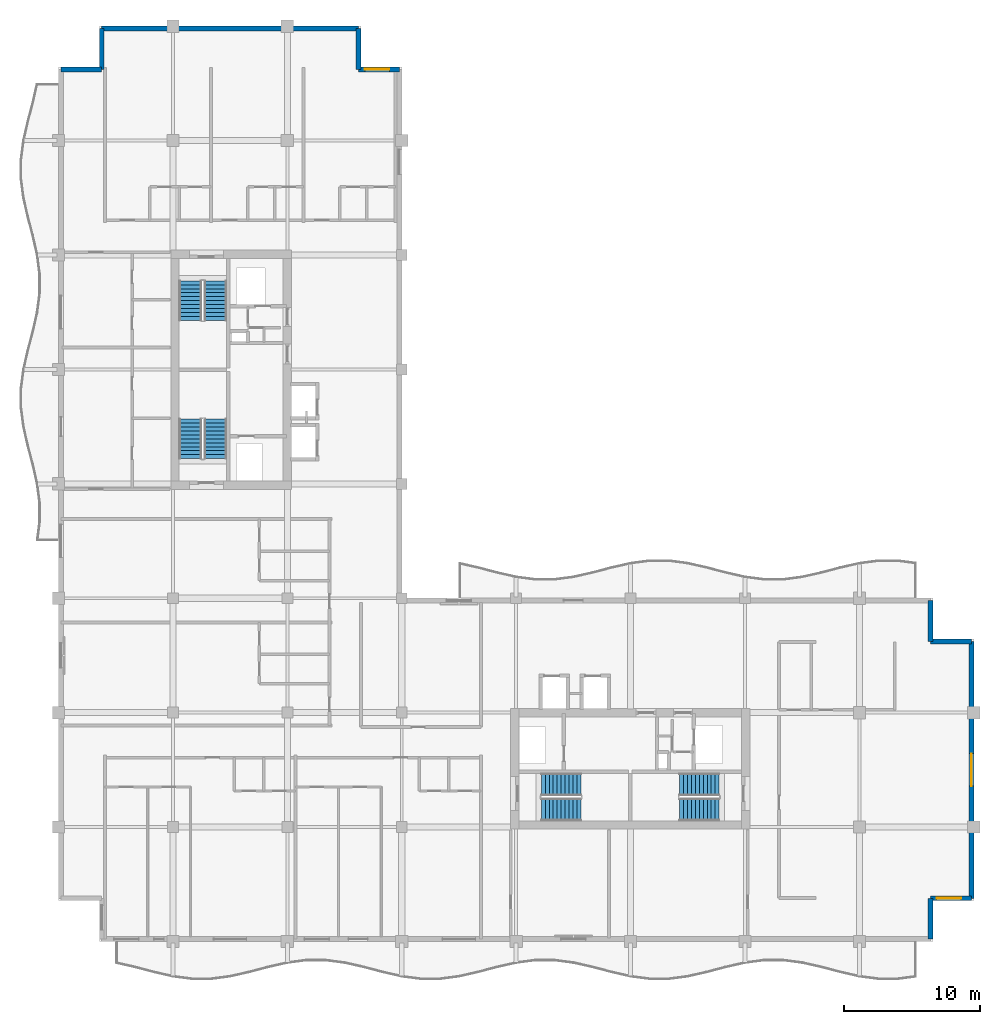
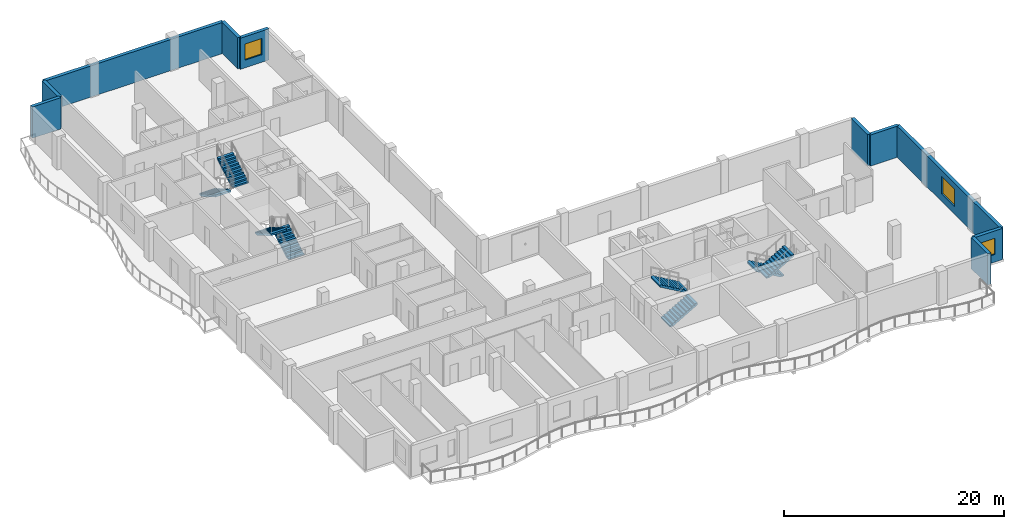
# One storey, part 8 of 12: 10 walls, 8 stair flights, 3 windows, 3 openings, 4 elements without a shape of their own.
"""IFC4 building model written with IfcOpenShell, lengths in metres."""

from ifc_helpers import new_model, si_unit, direction, frame, frame_2d, origin, place, context, subcontext, project, spatial, polyline, rectangle, outline, extrude, material, layer, layer_set, type_object, element, fill, aggregate, save


model = new_model("IFC4")

# Units and contexts
model_context = context("Model", 3, precision=1e-05, world=origin(), true_north=direction((0.0, 1.0)))
body_context = subcontext(model_context, "Body", "Model", "MODEL_VIEW")
ifc_project = project(units=[si_unit("LENGTHUNIT", "METRE"), si_unit("AREAUNIT", "SQUARE_METRE"), si_unit("VOLUMEUNIT", "CUBIC_METRE"), si_unit("PLANEANGLEUNIT", "RADIAN"), si_unit("MASSUNIT", "GRAM", prefix="KILO")], contexts=[model_context])

# Site, building, storey
site_placement = place(None, origin())
site = spatial("IfcSite", under=ifc_project, at=site_placement, CompositionType="ELEMENT")
building_placement = place(site_placement, origin())
building = spatial("IfcBuilding", under=site, at=building_placement, Name="Koriwani Terraces Tower", CompositionType="ELEMENT")
storey_placement = place(building_placement, frame((0.0, 0.0, 263.800048828125)))
storey = spatial("IfcBuildingStorey", under=building, at=storey_placement, Name="L65", CompositionType="ELEMENT", Elevation=263.800048828125)

# Walls
ifc_material_1 = material(Name="Concrete C50/60", Category="concrete")
ifc_layer = layer(ifc_material_1, 0.35009765625, Name="Concrete C50/60")
ifc_layer_set = layer_set([ifc_layer], Name="Concrete C50/60")
wall_type = type_object("IfcWallType", Name="WALL_EXT_BRUTALIST_350", PredefinedType="STANDARD", material=ifc_layer_set)
for number, where, z_axis, x_axis, name in (
    (1, (8.574951171875, 72.425048828125, 0.0), (0.0, 0.0, 1.0), (1.0, 0.0, 0.0), "L65 Fair-Faced Brutalist Exterior Wall (N3)"),
    (2, (11.574951171875, 72.425048828125, 0.0), (0.0, 0.0, 1.0), (0.0, 1.0, 0.0), "L65 Fair-Faced Brutalist Exterior Wall (N4)"),
):
    element("IfcWall", number, at=place(storey_placement, frame(where, z_axis=z_axis, x_axis=x_axis)), inside=storey, type_object=wall_type, Name=name, PredefinedType="STANDARD", context=body_context, shape_type="SweptSolid", body=[
        extrude(rectangle(XDim=3.0, YDim=0.35009765625, at=frame_2d((1.5, 0.0))), origin(), (0.0, 0.0, 1.0), 3.469970703125),
    ])
wall_1_placement = place(storey_placement, frame((11.574951171875, 75.425048828125, 0.0), z_axis=(0.0, 0.0, 1.0), x_axis=(1.0, 0.0, 0.0)))
element("IfcWall", 3, at=wall_1_placement, inside=storey, type_object=wall_type, Name="L65 Fair-Faced Brutalist Exterior Wall (N_TIP)", PredefinedType="STANDARD", context=body_context, shape_type="SweptSolid", body=[
    extrude(rectangle(XDim=18.85009765625, YDim=0.35009765625, at=frame_2d((9.425048828125, 0.0))), origin(), (0.0, 0.0, 1.0), 3.469970703125),
])
wall_2_placement = place(storey_placement, frame((30.425048828125, 75.425048828125, 0.0), z_axis=(0.0, 0.0, 1.0), x_axis=(0.0, -1.0, 0.0)))
element("IfcWall", 4, at=wall_2_placement, inside=storey, type_object=wall_type, Name="L65 Fair-Faced Brutalist Exterior Wall (N6)", PredefinedType="STANDARD", context=body_context, shape_type="SweptSolid", body=[
    extrude(rectangle(XDim=3.0, YDim=0.35009765625, at=frame_2d((1.5, 0.0))), origin(), (0.0, 0.0, 1.0), 3.469970703125),
])

# Wall, opening, window
wall_3_placement = place(storey_placement, frame((30.425048828125, 72.425048828125, 0.0), z_axis=(0.0, 0.0, 1.0), x_axis=(1.0, 0.0, 0.0)))
wall_3 = element("IfcWall", 5, at=wall_3_placement, inside=storey, type_object=wall_type, Name="L65 Fair-Faced Brutalist Exterior Wall (N7)", PredefinedType="STANDARD", context=body_context, shape_type="SweptSolid", body=[
    extrude(rectangle(XDim=3.0, YDim=0.35009765625, at=frame_2d((1.5, 0.0))), origin(), (0.0, 0.0, 1.0), 3.469970703125),
])
opening_1_placement = place(wall_3_placement, frame((0.472412109375, 0.0, 0.85009765625)))
opening_1 = element("IfcOpeningElement", 6, at=opening_1_placement, cuts=wall_3, Name="Opening W-04", PredefinedType="OPENING", context=body_context, shape_type="SweptSolid", body=[
    extrude(rectangle(XDim=1.800048828125, YDim=1.800048828125, at=frame_2d((0.89990234375, 0.89990234375))), frame((0.0, 0.18505859375, 0.0), z_axis=(0.0, -1.0, 0.0), x_axis=(1.0, 0.0, 0.0)), (0.0, 0.0, 1.0), 0.3701171875),
])
ifc_material_2 = material(Name="Tempered Laminated Low-E Glass", Category="glass")
window_type_1 = type_object("IfcWindowType", Name="WIN_RES_BED_1800X1800", PartitioningType="DOUBLE_PANEL_VERTICAL", PredefinedType="WINDOW", material=ifc_material_2)
window_1_placement = place(opening_1_placement, origin())
window_1 = element("IfcWindow", 7, at=window_1_placement, inside=storey, type_object=window_type_1, Name="L65 Exterior Window (N7-R55)", OverallHeight=1.800048828125, OverallWidth=1.800048828125, PartitioningType="SINGLE_PANEL", PredefinedType="WINDOW", context=body_context, shape_type="SweptSolid", body=[
    extrude(rectangle(XDim=1.800048828125, YDim=1.800048828125, at=frame_2d((0.89990234375, 0.89990234375))), frame((0.0, 0.030029296875, 0.0), z_axis=(0.0, -1.0, 0.0), x_axis=(1.0, 0.0, 0.0)), (0.0, 0.0, 1.0), 0.06005859375),
])
fill(opening_1, window_1)

# Walls
for number, where, z_axis, x_axis, name in (
    (8, (72.425048828125, 33.425048828125, 0.0), (0.0, 0.0, 1.0), (0.0, -1.0, 0.0), "L65 Fair-Faced Brutalist Exterior Wall (N10)"),
    (9, (72.425048828125, 30.425048828125, 0.0), (0.0, 0.0, 1.0), (1.0, 0.0, 0.0), "L65 Fair-Faced Brutalist Exterior Wall (N11)"),
):
    element("IfcWall", number, at=place(storey_placement, frame(where, z_axis=z_axis, x_axis=x_axis)), inside=storey, type_object=wall_type, Name=name, PredefinedType="STANDARD", context=body_context, shape_type="SweptSolid", body=[
        extrude(rectangle(XDim=3.0, YDim=0.35009765625, at=frame_2d((1.5, 0.0))), origin(), (0.0, 0.0, 1.0), 3.469970703125),
    ])

# Wall, opening, window
wall_4_placement = place(storey_placement, frame((75.425048828125, 30.425048828125, 0.0), z_axis=(0.0, 0.0, 1.0), x_axis=(0.0, -1.0, 0.0)))
wall_4 = element("IfcWall", 10, at=wall_4_placement, inside=storey, type_object=wall_type, Name="L65 Fair-Faced Brutalist Exterior Wall (E_TIP)", PredefinedType="STANDARD", context=body_context, shape_type="SweptSolid", body=[
    extrude(rectangle(XDim=18.85009765625, YDim=0.35009765625, at=frame_2d((9.425048828125, 0.0))), origin(), (0.0, 0.0, 1.0), 3.469970703125),
])
opening_2_placement = place(wall_4_placement, frame((8.22509765625, 0.0, 0.85009765625)))
opening_2 = element("IfcOpeningElement", 11, at=opening_2_placement, cuts=wall_4, Name="Opening W-03", PredefinedType="OPENING", context=body_context, shape_type="SweptSolid", body=[
    extrude(rectangle(XDim=2.39990234375, YDim=1.949951171875, at=frame_2d((1.199951171875, 0.97509765625))), frame((0.0, 0.18505859375, 0.0), z_axis=(0.0, -1.0, 0.0), x_axis=(1.0, 0.0, 0.0)), (0.0, 0.0, 1.0), 0.3701171875),
])
window_type_2 = type_object("IfcWindowType", Name="WIN_RES_LIVING_2400X1950", PartitioningType="DOUBLE_PANEL_VERTICAL", PredefinedType="WINDOW", material=ifc_material_2)
window_2_placement = place(opening_2_placement, origin())
window_2 = element("IfcWindow", 12, at=window_2_placement, inside=storey, type_object=window_type_2, Name="L65 Exterior Window (E_TIP-3)", OverallHeight=1.949951171875, OverallWidth=2.39990234375, PartitioningType="SINGLE_PANEL", PredefinedType="WINDOW", context=body_context, shape_type="SweptSolid", body=[
    extrude(rectangle(XDim=2.39990234375, YDim=1.949951171875, at=frame_2d((1.199951171875, 0.97509765625))), frame((0.0, 0.030029296875, 0.0), z_axis=(0.0, -1.0, 0.0), x_axis=(1.0, 0.0, 0.0)), (0.0, 0.0, 1.0), 0.06005859375),
])
fill(opening_2, window_2)

wall_5_placement = place(storey_placement, frame((75.425048828125, 11.574951171875, 0.0), z_axis=(0.0, 0.0, 1.0), x_axis=(-1.0, 0.0, 0.0)))
wall_5 = element("IfcWall", 13, at=wall_5_placement, inside=storey, type_object=wall_type, Name="L65 Fair-Faced Brutalist Exterior Wall (N13)", PredefinedType="STANDARD", context=body_context, shape_type="SweptSolid", body=[
    extrude(rectangle(XDim=3.0, YDim=0.35009765625, at=frame_2d((1.5, 0.0))), origin(), (0.0, 0.0, 1.0), 3.469970703125),
])
opening_3_placement = place(wall_5_placement, frame((0.762451171875, 0.0, 0.85009765625)))
opening_3 = element("IfcOpeningElement", 14, at=opening_3_placement, cuts=wall_5, Name="Opening W-04", PredefinedType="OPENING", context=body_context, shape_type="SweptSolid", body=[
    extrude(rectangle(XDim=1.800048828125, YDim=1.800048828125, at=frame_2d((0.89990234375, 0.89990234375))), frame((0.0, 0.18505859375, 0.0), z_axis=(0.0, -1.0, 0.0), x_axis=(1.0, 0.0, 0.0)), (0.0, 0.0, 1.0), 0.3701171875),
])
window_3_placement = place(opening_3_placement, origin())
window_3 = element("IfcWindow", 15, at=window_3_placement, inside=storey, type_object=window_type_1, Name="L65 Exterior Window (N13-R58)", OverallHeight=1.800048828125, OverallWidth=1.800048828125, PartitioningType="SINGLE_PANEL", PredefinedType="WINDOW", context=body_context, shape_type="SweptSolid", body=[
    extrude(rectangle(XDim=1.800048828125, YDim=1.800048828125, at=frame_2d((0.89990234375, 0.89990234375))), frame((0.0, 0.030029296875, 0.0), z_axis=(0.0, -1.0, 0.0), x_axis=(1.0, 0.0, 0.0)), (0.0, 0.0, 1.0), 0.06005859375),
])
fill(opening_3, window_3)

# Wall
wall_6_placement = place(storey_placement, frame((72.425048828125, 11.574951171875, 0.0), z_axis=(0.0, 0.0, 1.0), x_axis=(0.0, -1.0, 0.0)))
element("IfcWall", 16, at=wall_6_placement, inside=storey, type_object=wall_type, Name="L65 Fair-Faced Brutalist Exterior Wall (N14)", PredefinedType="STANDARD", context=body_context, shape_type="SweptSolid", body=[
    extrude(rectangle(XDim=3.0, YDim=0.35009765625, at=frame_2d((1.5, 0.0))), origin(), (0.0, 0.0, 1.0), 3.469970703125),
])

# Stair, stair flights
ifc_material_3 = material(Name="Concrete C40/50", Category="concrete")
stair_type = type_object("IfcStairType", Name="STAIR_CORE_DOGLEG_1650", PredefinedType="TWO_STRAIGHT_RUN_STAIR", material=ifc_material_3)
stair_1_placement = place(storey_placement, origin())
stair_1 = element("IfcStair", 17, at=stair_1_placement, inside=storey, type_object=stair_type, Name="L65 West Core Exit Stair 1", PredefinedType="HALF_TURN_STAIR")
stair_flight_type = type_object("IfcStairFlightType", Name="STAIR_FLIGHT_RC_1650", PredefinedType="STRAIGHT", material=ifc_material_3)
stair_flight_1_placement = place(storey_placement, frame((19.925048828125, 43.85009765625, 0.0), z_axis=(0.0, 0.0, 1.0), x_axis=(0.0, 1.0, 0.0)))
stair_flight_1 = element("IfcStairFlight", 18, at=stair_flight_1_placement, type_object=stair_flight_type, Name="ST-W1 flight 1", NumberOfRisers=11, NumberOfTreads=10, PredefinedType="STRAIGHT", RiserHeight=0.168181818, TreadLength=0.29, context=body_context, shape_type="SweptSolid", body=[
    extrude(outline(polyline([(0.0, 0.0), (0.0, 0.168212890625), (0.2900390625, 0.168212890625), (0.2900390625, 0.33642578125), (0.580078125, 0.33642578125), (0.580078125, 0.504638671875), (0.8701171875, 0.504638671875), (0.8701171875, 0.672607421875), (1.159912109375, 0.672607421875), (1.159912109375, 0.8408203125), (1.449951171875, 0.8408203125), (1.449951171875, 1.009033203125), (1.739990234375, 1.009033203125), (1.739990234375, 1.17724609375), (2.030029296875, 1.17724609375), (2.030029296875, 1.345458984375), (2.320068359375, 1.345458984375), (2.320068359375, 1.513671875), (2.610107421875, 1.513671875), (2.610107421875, 1.681884765625), (2.89990234375, 1.681884765625), (2.89990234375, 1.85009765625), (2.89990234375, 1.473876953125), (0.358642578125, 0.0), (0.0, 0.0)])), frame((0.0, 0.824951171875, 0.0), z_axis=(0.0, -1.0, 0.0), x_axis=(1.0, 0.0, 0.0)), (0.0, 0.0, 1.0), 1.64990234375),
])
stair_flight_2_placement = place(storey_placement, frame((18.074951171875, 46.75, 1.849853515625), z_axis=(0.0, 0.0, 1.0), x_axis=(0.0, -1.0, 0.0)))
stair_flight_2 = element("IfcStairFlight", 19, at=stair_flight_2_placement, type_object=stair_flight_type, Name="ST-W1 flight 2", NumberOfRisers=11, NumberOfTreads=10, PredefinedType="STRAIGHT", RiserHeight=0.168181818, TreadLength=0.29, context=body_context, shape_type="SweptSolid", body=[
    extrude(outline(polyline([(0.0, 0.0), (0.0, 0.168212890625), (0.2900390625, 0.168212890625), (0.2900390625, 0.33642578125), (0.580078125, 0.33642578125), (0.580078125, 0.504638671875), (0.8701171875, 0.504638671875), (0.8701171875, 0.672607421875), (1.159912109375, 0.672607421875), (1.159912109375, 0.8408203125), (1.449951171875, 0.8408203125), (1.449951171875, 1.009033203125), (1.739990234375, 1.009033203125), (1.739990234375, 1.17724609375), (2.030029296875, 1.17724609375), (2.030029296875, 1.345458984375), (2.320068359375, 1.345458984375), (2.320068359375, 1.513671875), (2.610107421875, 1.513671875), (2.610107421875, 1.681884765625), (2.89990234375, 1.681884765625), (2.89990234375, 1.85009765625), (2.89990234375, 1.473876953125), (0.358642578125, 0.0), (0.0, 0.0)])), frame((0.0, 0.824951171875, 0.0), z_axis=(0.0, -1.0, 0.0), x_axis=(1.0, 0.0, 0.0)), (0.0, 0.0, 1.0), 1.64990234375),
])
aggregate(stair_1, [stair_flight_1, stair_flight_2])

stair_2_placement = place(storey_placement, origin())
stair_2 = element("IfcStair", 20, at=stair_2_placement, inside=storey, type_object=stair_type, Name="L65 West Core Exit Stair 2", PredefinedType="HALF_TURN_STAIR")
stair_flight_3_placement = place(storey_placement, frame((18.074951171875, 56.89990234375, 0.0), z_axis=(0.0, 0.0, 1.0), x_axis=(0.0, -1.0, 0.0)))
stair_flight_3 = element("IfcStairFlight", 21, at=stair_flight_3_placement, type_object=stair_flight_type, Name="ST-W2 flight 1", NumberOfRisers=11, NumberOfTreads=10, PredefinedType="STRAIGHT", RiserHeight=0.168181818, TreadLength=0.29, context=body_context, shape_type="SweptSolid", body=[
    extrude(outline(polyline([(0.0, 0.0), (0.0, 0.168212890625), (0.2900390625, 0.168212890625), (0.2900390625, 0.33642578125), (0.580078125, 0.33642578125), (0.580078125, 0.504638671875), (0.8701171875, 0.504638671875), (0.8701171875, 0.672607421875), (1.159912109375, 0.672607421875), (1.159912109375, 0.8408203125), (1.449951171875, 0.8408203125), (1.449951171875, 1.009033203125), (1.739990234375, 1.009033203125), (1.739990234375, 1.17724609375), (2.030029296875, 1.17724609375), (2.030029296875, 1.345458984375), (2.320068359375, 1.345458984375), (2.320068359375, 1.513671875), (2.610107421875, 1.513671875), (2.610107421875, 1.681884765625), (2.89990234375, 1.681884765625), (2.89990234375, 1.85009765625), (2.89990234375, 1.473876953125), (0.358642578125, 0.0), (0.0, 0.0)])), frame((0.0, 0.824951171875, 0.0), z_axis=(0.0, -1.0, 0.0), x_axis=(1.0, 0.0, 0.0)), (0.0, 0.0, 1.0), 1.64990234375),
])
stair_flight_4_placement = place(storey_placement, frame((19.925048828125, 54.0, 1.849853515625), z_axis=(0.0, 0.0, 1.0), x_axis=(0.0, 1.0, 0.0)))
stair_flight_4 = element("IfcStairFlight", 22, at=stair_flight_4_placement, type_object=stair_flight_type, Name="ST-W2 flight 2", NumberOfRisers=11, NumberOfTreads=10, PredefinedType="STRAIGHT", RiserHeight=0.168181818, TreadLength=0.29, context=body_context, shape_type="SweptSolid", body=[
    extrude(outline(polyline([(0.0, 0.0), (0.0, 0.168212890625), (0.2900390625, 0.168212890625), (0.2900390625, 0.33642578125), (0.580078125, 0.33642578125), (0.580078125, 0.504638671875), (0.8701171875, 0.504638671875), (0.8701171875, 0.672607421875), (1.159912109375, 0.672607421875), (1.159912109375, 0.8408203125), (1.449951171875, 0.8408203125), (1.449951171875, 1.009033203125), (1.739990234375, 1.009033203125), (1.739990234375, 1.17724609375), (2.030029296875, 1.17724609375), (2.030029296875, 1.345458984375), (2.320068359375, 1.345458984375), (2.320068359375, 1.513671875), (2.610107421875, 1.513671875), (2.610107421875, 1.681884765625), (2.89990234375, 1.681884765625), (2.89990234375, 1.85009765625), (2.89990234375, 1.473876953125), (0.358642578125, 0.0), (0.0, 0.0)])), frame((0.0, 0.824951171875, 0.0), z_axis=(0.0, -1.0, 0.0), x_axis=(1.0, 0.0, 0.0)), (0.0, 0.0, 1.0), 1.64990234375),
])
aggregate(stair_2, [stair_flight_3, stair_flight_4])

stair_3_placement = place(storey_placement, origin())
stair_3 = element("IfcStair", 23, at=stair_3_placement, inside=storey, type_object=stair_type, Name="L65 East Core Exit Stair 1", PredefinedType="HALF_TURN_STAIR")
stair_flight_5_placement = place(storey_placement, frame((43.85009765625, 18.074951171875, 0.0), z_axis=(0.0, 0.0, 1.0), x_axis=(1.0, 0.0, 0.0)))
stair_flight_5 = element("IfcStairFlight", 24, at=stair_flight_5_placement, type_object=stair_flight_type, Name="ST-E1 flight 1", NumberOfRisers=11, NumberOfTreads=10, PredefinedType="STRAIGHT", RiserHeight=0.168181818, TreadLength=0.29, context=body_context, shape_type="SweptSolid", body=[
    extrude(outline(polyline([(0.0, 0.0), (0.0, 0.168212890625), (0.2900390625, 0.168212890625), (0.2900390625, 0.33642578125), (0.580078125, 0.33642578125), (0.580078125, 0.504638671875), (0.8701171875, 0.504638671875), (0.8701171875, 0.672607421875), (1.159912109375, 0.672607421875), (1.159912109375, 0.8408203125), (1.449951171875, 0.8408203125), (1.449951171875, 1.009033203125), (1.739990234375, 1.009033203125), (1.739990234375, 1.17724609375), (2.030029296875, 1.17724609375), (2.030029296875, 1.345458984375), (2.320068359375, 1.345458984375), (2.320068359375, 1.513671875), (2.610107421875, 1.513671875), (2.610107421875, 1.681884765625), (2.89990234375, 1.681884765625), (2.89990234375, 1.85009765625), (2.89990234375, 1.473876953125), (0.358642578125, 0.0), (0.0, 0.0)])), frame((0.0, 0.824951171875, 0.0), z_axis=(0.0, -1.0, 0.0), x_axis=(1.0, 0.0, 0.0)), (0.0, 0.0, 1.0), 1.64990234375),
])
stair_flight_6_placement = place(storey_placement, frame((46.75, 19.925048828125, 1.849853515625), z_axis=(0.0, 0.0, 1.0), x_axis=(-1.0, 0.0, 0.0)))
stair_flight_6 = element("IfcStairFlight", 25, at=stair_flight_6_placement, type_object=stair_flight_type, Name="ST-E1 flight 2", NumberOfRisers=11, NumberOfTreads=10, PredefinedType="STRAIGHT", RiserHeight=0.168181818, TreadLength=0.29, context=body_context, shape_type="SweptSolid", body=[
    extrude(outline(polyline([(0.0, 0.0), (0.0, 0.168212890625), (0.2900390625, 0.168212890625), (0.2900390625, 0.33642578125), (0.580078125, 0.33642578125), (0.580078125, 0.504638671875), (0.8701171875, 0.504638671875), (0.8701171875, 0.672607421875), (1.159912109375, 0.672607421875), (1.159912109375, 0.8408203125), (1.449951171875, 0.8408203125), (1.449951171875, 1.009033203125), (1.739990234375, 1.009033203125), (1.739990234375, 1.17724609375), (2.030029296875, 1.17724609375), (2.030029296875, 1.345458984375), (2.320068359375, 1.345458984375), (2.320068359375, 1.513671875), (2.610107421875, 1.513671875), (2.610107421875, 1.681884765625), (2.89990234375, 1.681884765625), (2.89990234375, 1.85009765625), (2.89990234375, 1.473876953125), (0.358642578125, 0.0), (0.0, 0.0)])), frame((0.0, 0.824951171875, 0.0), z_axis=(0.0, -1.0, 0.0), x_axis=(1.0, 0.0, 0.0)), (0.0, 0.0, 1.0), 1.64990234375),
])
aggregate(stair_3, [stair_flight_5, stair_flight_6])

stair_4_placement = place(storey_placement, origin())
stair_4 = element("IfcStair", 26, at=stair_4_placement, inside=storey, type_object=stair_type, Name="L65 East Core Exit Stair 2", PredefinedType="HALF_TURN_STAIR")
stair_flight_7_placement = place(storey_placement, frame((56.89990234375, 19.925048828125, 0.0), z_axis=(0.0, 0.0, 1.0), x_axis=(-1.0, 0.0, 0.0)))
stair_flight_7 = element("IfcStairFlight", 27, at=stair_flight_7_placement, type_object=stair_flight_type, Name="ST-E2 flight 1", NumberOfRisers=11, NumberOfTreads=10, PredefinedType="STRAIGHT", RiserHeight=0.168181818, TreadLength=0.29, context=body_context, shape_type="SweptSolid", body=[
    extrude(outline(polyline([(0.0, 0.0), (0.0, 0.168212890625), (0.2900390625, 0.168212890625), (0.2900390625, 0.33642578125), (0.580078125, 0.33642578125), (0.580078125, 0.504638671875), (0.8701171875, 0.504638671875), (0.8701171875, 0.672607421875), (1.159912109375, 0.672607421875), (1.159912109375, 0.8408203125), (1.449951171875, 0.8408203125), (1.449951171875, 1.009033203125), (1.739990234375, 1.009033203125), (1.739990234375, 1.17724609375), (2.030029296875, 1.17724609375), (2.030029296875, 1.345458984375), (2.320068359375, 1.345458984375), (2.320068359375, 1.513671875), (2.610107421875, 1.513671875), (2.610107421875, 1.681884765625), (2.89990234375, 1.681884765625), (2.89990234375, 1.85009765625), (2.89990234375, 1.473876953125), (0.358642578125, 0.0), (0.0, 0.0)])), frame((0.0, 0.824951171875, 0.0), z_axis=(0.0, -1.0, 0.0), x_axis=(1.0, 0.0, 0.0)), (0.0, 0.0, 1.0), 1.64990234375),
])
stair_flight_8_placement = place(storey_placement, frame((54.0, 18.074951171875, 1.849853515625), z_axis=(0.0, 0.0, 1.0), x_axis=(1.0, 0.0, 0.0)))
stair_flight_8 = element("IfcStairFlight", 28, at=stair_flight_8_placement, type_object=stair_flight_type, Name="ST-E2 flight 2", NumberOfRisers=11, NumberOfTreads=10, PredefinedType="STRAIGHT", RiserHeight=0.168181818, TreadLength=0.29, context=body_context, shape_type="SweptSolid", body=[
    extrude(outline(polyline([(0.0, 0.0), (0.0, 0.168212890625), (0.2900390625, 0.168212890625), (0.2900390625, 0.33642578125), (0.580078125, 0.33642578125), (0.580078125, 0.504638671875), (0.8701171875, 0.504638671875), (0.8701171875, 0.672607421875), (1.159912109375, 0.672607421875), (1.159912109375, 0.8408203125), (1.449951171875, 0.8408203125), (1.449951171875, 1.009033203125), (1.739990234375, 1.009033203125), (1.739990234375, 1.17724609375), (2.030029296875, 1.17724609375), (2.030029296875, 1.345458984375), (2.320068359375, 1.345458984375), (2.320068359375, 1.513671875), (2.610107421875, 1.513671875), (2.610107421875, 1.681884765625), (2.89990234375, 1.681884765625), (2.89990234375, 1.85009765625), (2.89990234375, 1.473876953125), (0.358642578125, 0.0), (0.0, 0.0)])), frame((0.0, 0.824951171875, 0.0), z_axis=(0.0, -1.0, 0.0), x_axis=(1.0, 0.0, 0.0)), (0.0, 0.0, 1.0), 1.64990234375),
])
aggregate(stair_4, [stair_flight_7, stair_flight_8])

save(model, "model.ifc")
